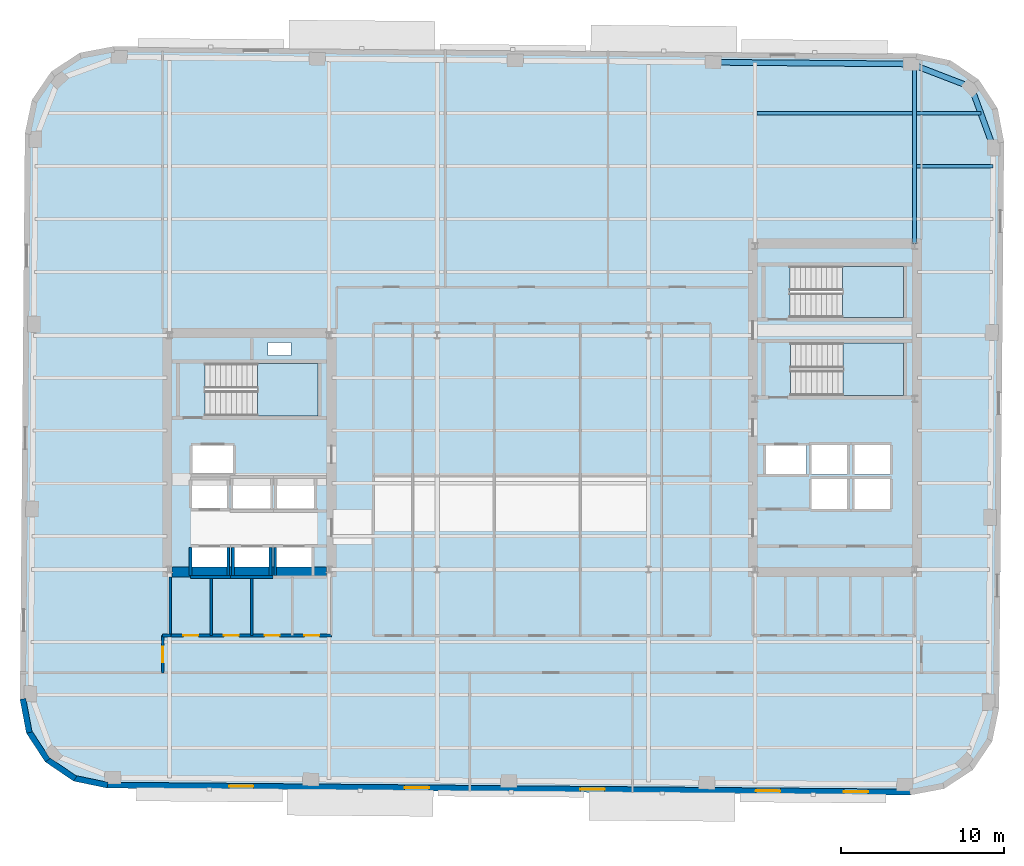
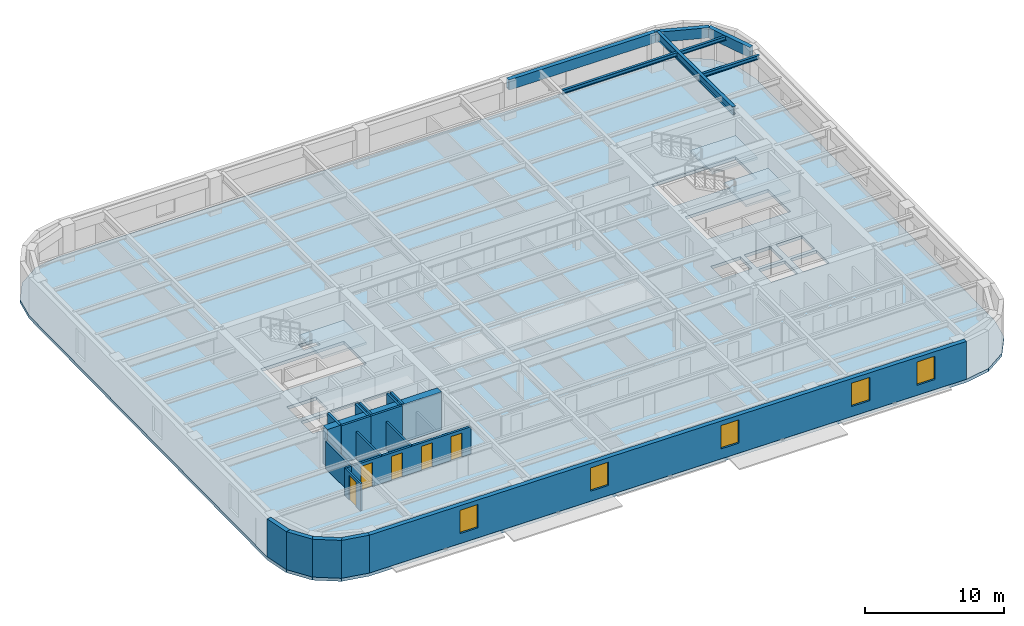
# One storey, part 3 of 11: 19 walls, 7 beams, 5 doors, 5 windows, 4 slabs, 10 openings, 3 elements without a shape of their own.
"""IFC4 building model written with IfcOpenShell, lengths in metres."""

from ifc_helpers import new_model, si_unit, direction, frame, frame_2d, origin, origin_2d, place, context, subcontext, project, spatial, polyline, rectangle, hollow_rectangle, i_section, outline, extrude, material, layer, layer_set, material_profile, profile_set, type_object, element, fill, aggregate, save


model = new_model("IFC4")

# Units and contexts
model_context = context("Model", 3, precision=1e-05, world=origin(), true_north=direction((0.0, 1.0)))
body_context = subcontext(model_context, "Body", "Model", "MODEL_VIEW")
ifc_project = project(units=[si_unit("LENGTHUNIT", "METRE"), si_unit("AREAUNIT", "SQUARE_METRE"), si_unit("VOLUMEUNIT", "CUBIC_METRE"), si_unit("PLANEANGLEUNIT", "RADIAN"), si_unit("MASSUNIT", "GRAM", prefix="KILO")], contexts=[model_context])

# Site, building, storey
site_placement = place(None, origin())
site = spatial("IfcSite", under=ifc_project, at=site_placement, CompositionType="ELEMENT")
building_placement = place(site_placement, origin())
building = spatial("IfcBuilding", under=site, at=building_placement, Name="Kolvaren Arena Tower", CompositionType="ELEMENT")
storey_placement = place(building_placement, frame((0.0, 0.0, 207.199951171875)))
storey = spatial("IfcBuildingStorey", under=building, at=storey_placement, Name="L50", CompositionType="ELEMENT", Elevation=207.199951171875)

# Beams
ifc_material_1 = material(Name="Steel CSA G40.21 350W", Category="steel")
ifc_material_profile_1 = material_profile(ifc_material_1, i_section(OverallWidth=0.2548828125, OverallDepth=0.695068359375, WebThickness=0.01708984375, FlangeThickness=0.02978515625, FilletRadius=0.01611328125, at=origin_2d()), Name="W690x217")
ifc_profile_set_1 = profile_set([ifc_material_profile_1], Name="Steel CSA G40.21 350W")
beam_type_1 = type_object("IfcBeamType", Name="GIRD-T2", PredefinedType="BEAM", material=ifc_profile_set_1)
beam_1_placement = place(storey_placement, frame((60.35009765625, 39.47998046875, 2.982666015625), z_axis=(0.0, 1.0, 0.0), x_axis=(-1.0, 0.0, 0.0)))
element("IfcBeam", 1, at=beam_1_placement, inside=storey, type_object=beam_type_1, Name="Primary Floor Girder (L50)", PredefinedType="BEAM", context=body_context, shape_type="SweptSolid", body=[
    extrude(i_section(OverallWidth=0.2548828125, OverallDepth=0.695068359375, WebThickness=0.01708984375, FlangeThickness=0.02978515625, FilletRadius=0.01611328125, at=origin_2d()), origin(), (0.0, 0.0, 1.0), 10.976806640625),
])
ifc_material_profile_2 = material_profile(ifc_material_1, i_section(OverallWidth=0.202880859375, OverallDepth=0.346923828125, WebThickness=0.0078125, FlangeThickness=0.013427734375, FilletRadius=0.010986328125, at=origin_2d()), Name="W360x64")
ifc_profile_set_2 = profile_set([ifc_material_profile_2], Name="Steel CSA G40.21 350W")
beam_type_2 = type_object("IfcBeamType", Name="JOIST-01", PredefinedType="JOIST", material=ifc_profile_set_2)
beam_2_placement = place(storey_placement, frame((60.4775390625, 44.25, 3.156494140625), z_axis=(1.0, 0.0, 0.0), x_axis=(0.0, 1.0, 0.0)))
element("IfcBeam", 2, at=beam_2_placement, inside=storey, type_object=beam_type_2, Name="Composite Floor Joist (L50)", PredefinedType="JOIST", context=body_context, shape_type="SweptSolid", body=[
    extrude(i_section(OverallWidth=0.202880859375, OverallDepth=0.346923828125, WebThickness=0.0078125, FlangeThickness=0.013427734375, FilletRadius=0.010986328125, at=origin_2d()), origin(), (0.0, 0.0, 1.0), 4.710205078125),
])
beam_3_placement = place(storey_placement, frame((50.677490234375, 47.5, 3.156494140625), z_axis=(1.0, 0.0, 0.0), x_axis=(0.0, 1.0, 0.0)))
element("IfcBeam", 3, at=beam_3_placement, inside=storey, type_object=beam_type_2, Name="Composite Floor Joist (L50)", PredefinedType="JOIST", context=body_context, shape_type="SweptSolid", body=[
    extrude(i_section(OverallWidth=0.202880859375, OverallDepth=0.346923828125, WebThickness=0.0078125, FlangeThickness=0.013427734375, FilletRadius=0.010986328125, at=origin_2d()), origin(), (0.0, 0.0, 1.0), 9.544921875),
])
beam_4_placement = place(storey_placement, frame((60.4775390625, 47.5, 3.156494140625), z_axis=(1.0, 0.0, 0.0), x_axis=(0.0, 1.0, 0.0)))
element("IfcBeam", 4, at=beam_4_placement, inside=storey, type_object=beam_type_2, Name="Composite Floor Joist (L50)", PredefinedType="JOIST", context=body_context, shape_type="SweptSolid", body=[
    extrude(i_section(OverallWidth=0.202880859375, OverallDepth=0.346923828125, WebThickness=0.0078125, FlangeThickness=0.013427734375, FilletRadius=0.010986328125, at=origin_2d()), origin(), (0.0, 0.0, 1.0), 3.950439453125),
])
ifc_material_2 = material(Name="Steel CSA G40.21 350WT", Category="steel")
ifc_material_profile_3 = material_profile(ifc_material_2, hollow_rectangle(XDim=0.35009765625, YDim=0.89990234375, WallThickness=0.02001953125, at=origin_2d()), Name="HSS 900x350x20")
ifc_profile_set_3 = profile_set([ifc_material_profile_3], Name="Steel CSA G40.21 350WT")
beam_type_3 = type_object("IfcBeamType", Name="SPAND-01", PredefinedType="SPANDREL", material=ifc_profile_set_3)
for number, where, z_axis, x_axis, name in (
    (5, (65.19775390625, 45.392333984375, 2.880126953125), (-0.343059102458, 0.939313819882, 0.0), (-0.939313819882, -0.343059102458, 0.0), "Perimeter Spandrel Beam (L50)"),
    (6, (63.8388671875, 49.113037109375, 2.880126953125), (-0.933189846698, 0.359383792094, 0.0), (-0.359383792094, -0.933189846698, 0.0), "Perimeter Spandrel Beam (L50)"),
):
    element("IfcBeam", number, at=place(storey_placement, frame(where, z_axis=z_axis, x_axis=x_axis)), inside=storey, type_object=beam_type_3, Name=name, PredefinedType="SPANDREL", context=body_context, shape_type="SweptSolid", body=[
        extrude(hollow_rectangle(XDim=0.35009765625, YDim=0.89990234375, WallThickness=0.02001953125, at=origin_2d()), origin(), (0.0, 0.0, 1.0), 3.961181640625),
    ])
beam_5_placement = place(storey_placement, frame((60.142333984375, 50.53662109375, 2.880126953125), z_axis=(-0.99996195503, 0.008722871848, 0.0), x_axis=(-0.008722871848, -0.99996195503, 0.0)))
element("IfcBeam", 7, at=beam_5_placement, inside=storey, type_object=beam_type_3, Name="Perimeter Spandrel Beam (L50)", PredefinedType="SPANDREL", context=body_context, shape_type="SweptSolid", body=[
    extrude(hollow_rectangle(XDim=0.35009765625, YDim=0.89990234375, WallThickness=0.02001953125, at=origin_2d()), origin(), (0.0, 0.0, 1.0), 12.175048828125),
])

# Stair, slab
ifc_material_3 = material(Name="Concrete 45 MPa", Category="concrete")
stair_type_1 = type_object("IfcStairType", Name="STAIR-CORE-165", PredefinedType="HALF_TURN_STAIR", material=ifc_material_3)
stair_1_placement = place(storey_placement, origin())
stair_1 = element("IfcStair", 8, at=stair_1_placement, inside=storey, type_object=stair_type_1, Name="L50 ST-W1", PredefinedType="HALF_TURN_STAIR")
ifc_layer_1 = layer(ifc_material_3, 0.199951171875)
ifc_layer_set_1 = layer_set([ifc_layer_1], Name="Concrete 45 MPa")
slab_type_1 = type_object("IfcSlabType", Name="SLAB-LAND", PredefinedType="LANDING", material=ifc_layer_set_1)
slab_1_placement = place(storey_placement, frame((0.0, 0.0, 1.675048828125)))
slab_1 = element("IfcSlab", 9, at=slab_1_placement, type_object=slab_type_1, Name="ST-W1 landing 1", PredefinedType="LANDING", context=body_context, shape_type="SweptSolid", body=[
    extrude(outline(polyline([(19.9599609375, 28.89990234375), (23.659912109375, 28.89990234375), (23.659912109375, 32.1298828125), (19.9599609375, 32.1298828125), (19.9599609375, 28.89990234375)])), origin(), (0.0, 0.0, 1.0), 0.199951171875),
])
aggregate(stair_1, [slab_1])

stair_2_placement = place(storey_placement, origin())
stair_2 = element("IfcStair", 10, at=stair_2_placement, inside=storey, type_object=stair_type_1, Name="L50 ST-E1", PredefinedType="HALF_TURN_STAIR")
slab_2_placement = place(storey_placement, frame((0.0, 0.0, 1.675048828125)))
slab_2 = element("IfcSlab", 11, at=slab_2_placement, type_object=slab_type_1, Name="ST-E1 landing 1", PredefinedType="LANDING", context=body_context, shape_type="SweptSolid", body=[
    extrude(outline(polyline([(55.9599609375, 30.14990234375), (59.659912109375, 30.14990234375), (59.659912109375, 33.3798828125), (55.9599609375, 33.3798828125), (55.9599609375, 30.14990234375)])), origin(), (0.0, 0.0, 1.0), 0.199951171875),
])
aggregate(stair_2, [slab_2])

stair_type_2 = type_object("IfcStairType", Name="STAIR-CORE-150", PredefinedType="HALF_TURN_STAIR", material=ifc_material_3)
stair_3_placement = place(storey_placement, origin())
stair_3 = element("IfcStair", 12, at=stair_3_placement, inside=storey, type_object=stair_type_2, Name="L50 ST-E2", PredefinedType="HALF_TURN_STAIR")
slab_3_placement = place(storey_placement, frame((0.0, 0.0, 1.675048828125)))
slab_3 = element("IfcSlab", 13, at=slab_3_placement, type_object=slab_type_1, Name="ST-E2 landing 1", PredefinedType="LANDING", context=body_context, shape_type="SweptSolid", body=[
    extrude(outline(polyline([(55.919921875, 34.949951171875), (59.659912109375, 34.949951171875), (59.659912109375, 38.10009765625), (55.919921875, 38.10009765625), (55.919921875, 34.949951171875)])), origin(), (0.0, 0.0, 1.0), 0.199951171875),
])
aggregate(stair_3, [slab_3])

# Slab
ifc_layer_2 = layer(ifc_material_3, 0.27001953125)
ifc_layer_set_2 = layer_set([ifc_layer_2], Name="Concrete 45 MPa")
slab_type_2 = type_object("IfcSlabType", Name="SLAB-OFF2", PredefinedType="FLOOR", material=ifc_layer_set_2)
slab_4_placement = place(storey_placement, frame((0.0, 0.0, -0.27001953125)))
element("IfcSlab", 14, at=slab_4_placement, inside=storey, type_object=slab_type_2, Name="L50 Primary Structural Slab", PredefinedType="FLOOR", context=body_context, shape_type="SweptSolid", body=[
    extrude(outline(polyline([(60.10009765625, 5.585205078125), (62.170166015625, 5.978271484375), (63.93212890625, 7.133544921875), (65.117919921875, 8.875244140625), (65.547119140625, 10.93798828125), (65.8505859375, 45.73681640625), (65.457763671875, 47.806640625), (64.302490234375, 49.568603515625), (62.560791015625, 50.75439453125), (60.498046875, 51.18359375), (11.099853515625, 51.61474609375), (9.02978515625, 51.2216796875), (7.267822265625, 50.06640625), (6.08203125, 48.32470703125), (5.653076171875, 46.261962890625), (5.349365234375, 11.46337890625), (5.7421875, 9.393310546875), (6.8974609375, 7.63134765625), (8.63916015625, 6.445556640625), (10.701904296875, 6.016357421875), (60.10009765625, 5.585205078125)]), holes=[polyline([(15.93505859375, 19.0849609375), (15.93505859375, 20.81494140625), (18.06494140625, 20.81494140625), (18.06494140625, 19.0849609375), (15.93505859375, 19.0849609375)]), polyline([(18.534912109375, 19.0849609375), (18.534912109375, 20.81494140625), (20.6650390625, 20.81494140625), (20.6650390625, 19.0849609375), (18.534912109375, 19.0849609375)]), polyline([(21.135009765625, 19.0849609375), (21.135009765625, 20.81494140625), (23.264892578125, 20.81494140625), (23.264892578125, 19.0849609375), (21.135009765625, 19.0849609375)]), polyline([(18.4599609375, 23.135009765625), (18.4599609375, 25.06494140625), (20.739990234375, 25.06494140625), (20.739990234375, 23.135009765625), (18.4599609375, 23.135009765625)]), polyline([(21.159912109375, 23.135009765625), (21.159912109375, 25.06494140625), (23.43994140625, 25.06494140625), (23.43994140625, 23.135009765625), (21.159912109375, 23.135009765625)]), polyline([(54.030029296875, 23.18505859375), (54.030029296875, 25.014892578125), (56.2099609375, 25.014892578125), (56.2099609375, 23.18505859375), (54.030029296875, 23.18505859375)]), polyline([(56.669921875, 23.18505859375), (56.669921875, 25.014892578125), (58.85009765625, 25.014892578125), (58.85009765625, 23.18505859375), (56.669921875, 23.18505859375)]), polyline([(15.93505859375, 23.235107421875), (15.93505859375, 24.965087890625), (18.06494140625, 24.965087890625), (18.06494140625, 23.235107421875), (15.93505859375, 23.235107421875)]), polyline([(54.030029296875, 25.284912109375), (54.030029296875, 27.114990234375), (56.2099609375, 27.114990234375), (56.2099609375, 25.284912109375), (54.030029296875, 25.284912109375)]), polyline([(56.669921875, 25.284912109375), (56.669921875, 27.114990234375), (58.85009765625, 27.114990234375), (58.85009765625, 25.284912109375), (56.669921875, 25.284912109375)]), polyline([(15.9599609375, 25.3349609375), (15.9599609375, 27.06494140625), (18.43994140625, 27.06494140625), (18.43994140625, 25.3349609375), (15.9599609375, 25.3349609375)]), polyline([(51.219970703125, 25.3349609375), (51.219970703125, 27.06494140625), (53.699951171875, 27.06494140625), (53.699951171875, 25.3349609375), (51.219970703125, 25.3349609375)]), polyline([(16.735107421875, 28.89990234375), (16.735107421875, 32.1298828125), (23.659912109375, 32.1298828125), (23.659912109375, 28.89990234375), (16.735107421875, 28.89990234375)]), polyline([(52.735107421875, 30.14990234375), (52.735107421875, 33.3798828125), (59.659912109375, 33.3798828125), (59.659912109375, 30.14990234375), (52.735107421875, 30.14990234375)]), polyline([(20.60009765625, 32.6201171875), (20.60009765625, 33.39990234375), (22.0, 33.39990234375), (22.0, 32.6201171875), (20.60009765625, 32.6201171875)]), polyline([(52.695068359375, 34.949951171875), (52.695068359375, 38.10009765625), (59.659912109375, 38.10009765625), (59.659912109375, 34.949951171875), (52.695068359375, 34.949951171875)])]), origin(), (0.0, 0.0, 1.0), 0.27001953125),
])

# Wall, opening, door
ifc_material_4 = material(Name="Gypsum board acoustic assembly", Category="gypsum")
ifc_layer_3 = layer(ifc_material_4, 0.159912109375)
ifc_layer_set_3 = layer_set([ifc_layer_3], Name="Gypsum board acoustic assembly")
wall_type_1 = type_object("IfcWallType", Name="CORR-160", PredefinedType="PARTITIONING", material=ifc_layer_set_3)
wall_1_placement = place(storey_placement, frame((14.1201171875, 13.10009765625, 0.0), z_axis=(0.0, 0.0, 1.0), x_axis=(0.0, 1.0, 0.0)))
wall_1 = element("IfcWall", 15, at=wall_1_placement, inside=storey, type_object=wall_type_1, Name="Interior Partition Wall (L50)", PredefinedType="PARTITIONING", context=body_context, shape_type="SweptSolid", body=[
    extrude(rectangle(XDim=2.2998046875, YDim=0.159912109375, at=frame_2d((1.14990234375, 0.0))), origin(), (0.0, 0.0, 1.0), 2.39013671875),
])
opening_1_placement = place(wall_1_placement, frame((0.64990234375, 0.0, 0.0)))
opening_1 = element("IfcOpeningElement", 16, at=opening_1_placement, cuts=wall_1, Name="Opening D05", PredefinedType="OPENING", context=body_context, shape_type="SweptSolid", body=[
    extrude(rectangle(XDim=0.949951171875, YDim=2.14990234375, at=frame_2d((0.47509765625, 1.074951171875))), frame((0.0, 0.08984375, 0.0), z_axis=(0.0, -1.0, 0.0), x_axis=(1.0, 0.0, 0.0)), (0.0, 0.0, 1.0), 0.179931640625),
])
ifc_material_5 = material(Name="Solid-core oak acoustic office door", Category="wood")
door_type_1 = type_object("IfcDoorType", Name="DOOR-OF-095", OperationType="NOTDEFINED", PredefinedType="DOOR", material=ifc_material_5)
door_1_placement = place(opening_1_placement, origin())
door_1 = element("IfcDoor", 17, at=door_1_placement, inside=storey, type_object=door_type_1, Name="West Wing Office Door (L50)", OperationType="SINGLE_SWING_LEFT", OverallHeight=2.14990234375, OverallWidth=0.949951171875, PredefinedType="DOOR", context=body_context, shape_type="SweptSolid", body=[
    extrude(rectangle(XDim=0.949951171875, YDim=2.14990234375, at=frame_2d((0.47509765625, 1.074951171875))), frame((0.0, 0.02490234375, 0.0), z_axis=(0.0, -1.0, 0.0), x_axis=(1.0, 0.0, 0.0)), (0.0, 0.0, 1.0), 0.050048828125),
])
fill(opening_1, door_1)

# Walls
wall_2_placement = place(storey_placement, frame((14.1201171875, 15.39990234375, 0.0), z_axis=(0.0, 0.0, 1.0), x_axis=(1.0, 0.0, 0.0)))
element("IfcWall", 18, at=wall_2_placement, inside=storey, type_object=wall_type_1, Name="Interior Partition Wall (L50)", PredefinedType="PARTITIONING", context=body_context, shape_type="SweptSolid", body=[
    extrude(rectangle(XDim=0.5, YDim=0.159912109375, at=frame_2d((0.25, 0.0))), origin(), (0.0, 0.0, 1.0), 2.39013671875),
])
ifc_material_6 = material(Name="Concrete 60 MPa", Category="concrete")
ifc_layer_4 = layer(ifc_material_6, 0.60009765625)
ifc_layer_set_4 = layer_set([ifc_layer_4], Name="Concrete 60 MPa")
wall_type_2 = type_object("IfcWallType", Name="CWALL-600", PredefinedType="SHEAR", material=ifc_layer_set_4)
wall_3_placement = place(storey_placement, frame((14.699951171875, 19.300048828125, -0.27001953125), z_axis=(0.0, 0.0, 1.0), x_axis=(1.0, 0.0, 0.0)))
element("IfcWall", 19, at=wall_3_placement, inside=storey, type_object=wall_type_2, Name="Core Shear Wall WC-SOUTH (L50)", PredefinedType="SHEAR", context=body_context, shape_type="SweptSolid", body=[
    extrude(rectangle(XDim=9.5, YDim=0.60009765625, at=frame_2d((4.75, 0.0))), origin(), (0.0, 0.0, 1.0), 3.60009765625),
])
ifc_material_7 = material(Name="Precast concrete C50/60", Category="concrete")
ifc_layer_5 = layer(ifc_material_7, 0.360107421875)
ifc_layer_set_5 = layer_set([ifc_layer_5], Name="Precast concrete C50/60")
wall_type_3 = type_object("IfcWallType", Name="EXT-PIER2", PredefinedType="SOLIDWALL", material=ifc_layer_set_5)
for number, where, z_axis, x_axis, name in (
    (20, (5.919189453125, 9.427001953125, 0.0), (0.0, 0.0, 1.0), (-0.186568933123, 0.982441872679, 0.0), "Exterior Precast Masonry-Frame Wall (L50)"),
    (21, (7.048095703125, 7.72998046875, 0.0), (0.0, 0.0, 1.0), (-0.548319766745, 0.836268756678, 0.0), "Exterior Precast Masonry-Frame Wall (L50)"),
    (22, (8.740478515625, 6.59423828125, 0.0), (0.0, 0.0, 1.0), (-0.826609569219, 0.56277581689, 0.0), "Exterior Precast Masonry-Frame Wall (L50)"),
):
    element("IfcWall", number, at=place(storey_placement, frame(where, z_axis=z_axis, x_axis=x_axis)), inside=storey, type_object=wall_type_3, Name=name, PredefinedType="SOLIDWALL", context=body_context, shape_type="SweptSolid", body=[
        extrude(rectangle(XDim=2.10693359375, YDim=0.360107421875, at=frame_2d((1.053466796875, 0.0))), origin(), (0.0, 0.0, 1.0), 3.330078125),
    ])
wall_4_placement = place(storey_placement, frame((10.73876953125, 6.192626953125, 0.0), z_axis=(0.0, 0.0, 1.0), x_axis=(-0.979059388908, 0.203574833883, 0.0)))
element("IfcWall", 23, at=wall_4_placement, inside=storey, type_object=wall_type_3, Name="Exterior Precast Masonry-Frame Wall (L50)", PredefinedType="SOLIDWALL", context=body_context, shape_type="SweptSolid", body=[
    extrude(rectangle(XDim=2.107177734375, YDim=0.360107421875, at=frame_2d((1.0537109375, 0.0))), origin(), (0.0, 0.0, 1.0), 3.330078125),
])

# Wall, openings, windows
wall_5_placement = place(storey_placement, frame((60.101806640625, 5.765380859375, 0.0), z_axis=(0.0, 0.0, 1.0), x_axis=(-0.999961955436, 0.008722825272, 0.0)))
wall_5 = element("IfcWall", 24, at=wall_5_placement, inside=storey, type_object=wall_type_3, Name="Exterior Precast Masonry-Frame Wall (L50)", PredefinedType="SOLIDWALL", context=body_context, shape_type="SweptSolid", body=[
    extrude(rectangle(XDim=49.400146484375, YDim=0.360107421875, at=frame_2d((24.7001953125, 0.0))), origin(), (0.0, 0.0, 1.0), 3.330078125),
])
opening_2_placement = place(wall_5_placement, frame((2.60009765625, 0.0, 0.8798828125)))
opening_2 = element("IfcOpeningElement", 25, at=opening_2_placement, cuts=wall_5, Name="Opening W03", PredefinedType="OPENING", context=body_context, shape_type="SweptSolid", body=[
    extrude(rectangle(XDim=1.5, YDim=2.050048828125, at=frame_2d((0.75, 1.02490234375))), frame((0.0, 0.18994140625, 0.0), z_axis=(0.0, -1.0, 0.0), x_axis=(1.0, 0.0, 0.0)), (0.0, 0.0, 1.0), 0.380126953125),
])
opening_3_placement = place(wall_5_placement, frame((8.0, 0.0, 0.8798828125)))
opening_3 = element("IfcOpeningElement", 26, at=opening_3_placement, cuts=wall_5, Name="Opening W03", PredefinedType="OPENING", context=body_context, shape_type="SweptSolid", body=[
    extrude(rectangle(XDim=1.5, YDim=2.050048828125, at=frame_2d((0.75, 1.02490234375))), frame((0.0, 0.18994140625, 0.0), z_axis=(0.0, -1.0, 0.0), x_axis=(1.0, 0.0, 0.0)), (0.0, 0.0, 1.0), 0.380126953125),
])
opening_4_placement = place(wall_5_placement, frame((18.800048828125, 0.0, 0.8798828125)))
opening_4 = element("IfcOpeningElement", 27, at=opening_4_placement, cuts=wall_5, Name="Opening W03", PredefinedType="OPENING", context=body_context, shape_type="SweptSolid", body=[
    extrude(rectangle(XDim=1.5, YDim=2.050048828125, at=frame_2d((0.75, 1.02490234375))), frame((0.0, 0.18994140625, 0.0), z_axis=(0.0, -1.0, 0.0), x_axis=(1.0, 0.0, 0.0)), (0.0, 0.0, 1.0), 0.380126953125),
])
opening_5_placement = place(wall_5_placement, frame((29.60009765625, 0.0, 0.8798828125)))
opening_5 = element("IfcOpeningElement", 28, at=opening_5_placement, cuts=wall_5, Name="Opening W03", PredefinedType="OPENING", context=body_context, shape_type="SweptSolid", body=[
    extrude(rectangle(XDim=1.5, YDim=2.050048828125, at=frame_2d((0.75, 1.02490234375))), frame((0.0, 0.18994140625, 0.0), z_axis=(0.0, -1.0, 0.0), x_axis=(1.0, 0.0, 0.0)), (0.0, 0.0, 1.0), 0.380126953125),
])
opening_6_placement = place(wall_5_placement, frame((40.39990234375, 0.0, 0.8798828125)))
opening_6 = element("IfcOpeningElement", 29, at=opening_6_placement, cuts=wall_5, Name="Opening W03", PredefinedType="OPENING", context=body_context, shape_type="SweptSolid", body=[
    extrude(rectangle(XDim=1.5, YDim=2.050048828125, at=frame_2d((0.75, 1.02490234375))), frame((0.0, 0.18994140625, 0.0), z_axis=(0.0, -1.0, 0.0), x_axis=(1.0, 0.0, 0.0)), (0.0, 0.0, 1.0), 0.380126953125),
])
ifc_material_8 = material(Name="Triple-glazed low-E aluminium window", Category="aluminium")
window_type = type_object("IfcWindowType", Name="WIN-OFF-C", PartitioningType="SINGLE_PANEL", PredefinedType="WINDOW", material=ifc_material_8)
window_1_placement = place(opening_2_placement, origin())
window_1 = element("IfcWindow", 30, at=window_1_placement, inside=storey, type_object=window_type, Name="Punched Precast-Pier Window (L50)", OverallHeight=2.050048828125, OverallWidth=1.5, PartitioningType="SINGLE_PANEL", PredefinedType="WINDOW", context=body_context, shape_type="SweptSolid", body=[
    extrude(rectangle(XDim=1.5, YDim=2.050048828125, at=frame_2d((0.75, 1.02490234375))), frame((0.0, 0.030029296875, 0.0), z_axis=(0.0, -1.0, 0.0), x_axis=(1.0, 0.0, 0.0)), (0.0, 0.0, 1.0), 0.06005859375),
])
fill(opening_2, window_1)
window_2_placement = place(opening_3_placement, origin())
window_2 = element("IfcWindow", 31, at=window_2_placement, inside=storey, type_object=window_type, Name="Punched Precast-Pier Window (L50)", OverallHeight=2.050048828125, OverallWidth=1.5, PartitioningType="SINGLE_PANEL", PredefinedType="WINDOW", context=body_context, shape_type="SweptSolid", body=[
    extrude(rectangle(XDim=1.5, YDim=2.050048828125, at=frame_2d((0.75, 1.02490234375))), frame((0.0, 0.030029296875, 0.0), z_axis=(0.0, -1.0, 0.0), x_axis=(1.0, 0.0, 0.0)), (0.0, 0.0, 1.0), 0.06005859375),
])
fill(opening_3, window_2)
window_3_placement = place(opening_4_placement, origin())
window_3 = element("IfcWindow", 32, at=window_3_placement, inside=storey, type_object=window_type, Name="Punched Precast-Pier Window (L50)", OverallHeight=2.050048828125, OverallWidth=1.5, PartitioningType="SINGLE_PANEL", PredefinedType="WINDOW", context=body_context, shape_type="SweptSolid", body=[
    extrude(rectangle(XDim=1.5, YDim=2.050048828125, at=frame_2d((0.75, 1.02490234375))), frame((0.0, 0.030029296875, 0.0), z_axis=(0.0, -1.0, 0.0), x_axis=(1.0, 0.0, 0.0)), (0.0, 0.0, 1.0), 0.06005859375),
])
fill(opening_4, window_3)
window_4_placement = place(opening_5_placement, origin())
window_4 = element("IfcWindow", 33, at=window_4_placement, inside=storey, type_object=window_type, Name="Punched Precast-Pier Window (L50)", OverallHeight=2.050048828125, OverallWidth=1.5, PartitioningType="SINGLE_PANEL", PredefinedType="WINDOW", context=body_context, shape_type="SweptSolid", body=[
    extrude(rectangle(XDim=1.5, YDim=2.050048828125, at=frame_2d((0.75, 1.02490234375))), frame((0.0, 0.030029296875, 0.0), z_axis=(0.0, -1.0, 0.0), x_axis=(1.0, 0.0, 0.0)), (0.0, 0.0, 1.0), 0.06005859375),
])
fill(opening_5, window_4)
window_5_placement = place(opening_6_placement, origin())
window_5 = element("IfcWindow", 34, at=window_5_placement, inside=storey, type_object=window_type, Name="Punched Precast-Pier Window (L50)", OverallHeight=2.050048828125, OverallWidth=1.5, PartitioningType="SINGLE_PANEL", PredefinedType="WINDOW", context=body_context, shape_type="SweptSolid", body=[
    extrude(rectangle(XDim=1.5, YDim=2.050048828125, at=frame_2d((0.75, 1.02490234375))), frame((0.0, 0.030029296875, 0.0), z_axis=(0.0, -1.0, 0.0), x_axis=(1.0, 0.0, 0.0)), (0.0, 0.0, 1.0), 0.06005859375),
])
fill(opening_6, window_5)

# Walls
ifc_layer_6 = layer(ifc_material_3, 0.25)
ifc_layer_set_6 = layer_set([ifc_layer_6], Name="Concrete 45 MPa")
wall_type_4 = type_object("IfcWallType", Name="SHAFT-250", PredefinedType="SOLIDWALL", material=ifc_layer_set_6)
wall_6_placement = place(storey_placement, frame((15.844970703125, 18.9951171875, 0.0), z_axis=(0.0, 0.0, 1.0), x_axis=(1.0, 0.0, 0.0)))
element("IfcWall", 35, at=wall_6_placement, inside=storey, type_object=wall_type_4, Name="Core Shaft Wall (L50)", PredefinedType="SOLIDWALL", context=body_context, shape_type="SweptSolid", body=[
    extrude(rectangle(XDim=2.455078125, YDim=0.179931640625, at=frame_2d((1.2275390625, 0.0))), origin(), (0.0, 0.0, 1.0), 3.330078125),
])
for number, where, z_axis, x_axis, name in (
    (36, (15.844970703125, 19.0849609375, 0.0), (0.0, 0.0, 1.0), (0.0, 1.0, 0.0), "Core Shaft Wall (L50)"),
    (37, (18.155029296875, 19.0849609375, 0.0), (0.0, 0.0, 1.0), (0.0, 1.0, 0.0), "Core Shaft Wall (L50)"),
):
    element("IfcWall", number, at=place(storey_placement, frame(where, z_axis=z_axis, x_axis=x_axis)), inside=storey, type_object=wall_type_4, Name=name, PredefinedType="SOLIDWALL", context=body_context, shape_type="SweptSolid", body=[
        extrude(rectangle(XDim=1.72998046875, YDim=0.179931640625, at=frame_2d((0.864990234375, 0.0))), origin(), (0.0, 0.0, 1.0), 3.330078125),
    ])
wall_7_placement = place(storey_placement, frame((18.300048828125, 18.9951171875, 0.0), z_axis=(0.0, 0.0, 1.0), x_axis=(1.0, 0.0, 0.0)))
element("IfcWall", 38, at=wall_7_placement, inside=storey, type_object=wall_type_4, Name="Core Shaft Wall (L50)", PredefinedType="SOLIDWALL", context=body_context, shape_type="SweptSolid", body=[
    extrude(rectangle(XDim=2.599853515625, YDim=0.179931640625, at=frame_2d((1.2998046875, 0.0))), origin(), (0.0, 0.0, 1.0), 3.330078125),
])
for number, where, z_axis, x_axis, name in (
    (39, (18.445068359375, 19.0849609375, 0.0), (0.0, 0.0, 1.0), (0.0, 1.0, 0.0), "Core Shaft Wall (L50)"),
    (40, (20.7548828125, 19.0849609375, 0.0), (0.0, 0.0, 1.0), (0.0, 1.0, 0.0), "Core Shaft Wall (L50)"),
    (41, (21.044921875, 19.0849609375, 0.0), (0.0, 0.0, 1.0), (0.0, 1.0, 0.0), "Core Shaft Wall (L50)"),
):
    element("IfcWall", number, at=place(storey_placement, frame(where, z_axis=z_axis, x_axis=x_axis)), inside=storey, type_object=wall_type_4, Name=name, PredefinedType="SOLIDWALL", context=body_context, shape_type="SweptSolid", body=[
        extrude(rectangle(XDim=1.72998046875, YDim=0.179931640625, at=frame_2d((0.864990234375, 0.0))), origin(), (0.0, 0.0, 1.0), 3.330078125),
    ])
ifc_material_9 = material(Name="Moisture-resistant gypsum assembly", Category="gypsum")
ifc_layer_7 = layer(ifc_material_9, 0.14990234375)
ifc_layer_set_7 = layer_set([ifc_layer_7], Name="Moisture-resistant gypsum assembly")
wall_type_5 = type_object("IfcWallType", Name="WETW-150", PredefinedType="PARTITIONING", material=ifc_layer_set_7)
for number, where, z_axis, x_axis, name in (
    (42, (17.10009765625, 15.39990234375, 0.0), (0.0, 0.0, 1.0), (0.0, 1.0, 0.0), "Interior Partition Wall (L50)"),
    (43, (19.60009765625, 15.39990234375, 0.0), (0.0, 0.0, 1.0), (0.0, 1.0, 0.0), "Interior Partition Wall (L50)"),
):
    element("IfcWall", number, at=place(storey_placement, frame(where, z_axis=z_axis, x_axis=x_axis)), inside=storey, type_object=wall_type_5, Name=name, PredefinedType="PARTITIONING", context=body_context, shape_type="SweptSolid", body=[
        extrude(rectangle(XDim=3.580078125, YDim=0.14990234375, at=frame_2d((1.7900390625, 0.0))), origin(), (0.0, 0.0, 1.0), 2.39013671875),
    ])

# Wall, openings, doors
wall_8_placement = place(storey_placement, frame((14.60009765625, 15.39990234375, 0.0), z_axis=(0.0, 0.0, 1.0), x_axis=(1.0, 0.0, 0.0)))
wall_8 = element("IfcWall", 44, at=wall_8_placement, inside=storey, type_object=wall_type_5, Name="Interior Partition Wall (L50)", PredefinedType="PARTITIONING", context=body_context, shape_type="SweptSolid", body=[
    extrude(rectangle(XDim=9.89990234375, YDim=0.179931640625, at=frame_2d((4.949951171875, 0.0))), origin(), (0.0, 0.0, 1.0), 2.39013671875),
])
opening_7_placement = place(wall_8_placement, frame((0.7900390625, 0.0, 0.0)))
opening_7 = element("IfcOpeningElement", 45, at=opening_7_placement, cuts=wall_8, Name="Opening D07", PredefinedType="OPENING", context=body_context, shape_type="SweptSolid", body=[
    extrude(rectangle(XDim=0.919921875, YDim=2.10009765625, at=frame_2d((0.4599609375, 1.050048828125))), frame((0.0, 0.099853515625, 0.0), z_axis=(0.0, -1.0, 0.0), x_axis=(1.0, 0.0, 0.0)), (0.0, 0.0, 1.0), 0.199951171875),
])
opening_8_placement = place(wall_8_placement, frame((3.2900390625, 0.0, 0.0)))
opening_8 = element("IfcOpeningElement", 46, at=opening_8_placement, cuts=wall_8, Name="Opening D07", PredefinedType="OPENING", context=body_context, shape_type="SweptSolid", body=[
    extrude(rectangle(XDim=0.919921875, YDim=2.10009765625, at=frame_2d((0.4599609375, 1.050048828125))), frame((0.0, 0.099853515625, 0.0), z_axis=(0.0, -1.0, 0.0), x_axis=(1.0, 0.0, 0.0)), (0.0, 0.0, 1.0), 0.199951171875),
])
opening_9_placement = place(wall_8_placement, frame((5.7900390625, 0.0, 0.0)))
opening_9 = element("IfcOpeningElement", 47, at=opening_9_placement, cuts=wall_8, Name="Opening D07", PredefinedType="OPENING", context=body_context, shape_type="SweptSolid", body=[
    extrude(rectangle(XDim=0.919921875, YDim=2.10009765625, at=frame_2d((0.4599609375, 1.050048828125))), frame((0.0, 0.099853515625, 0.0), z_axis=(0.0, -1.0, 0.0), x_axis=(1.0, 0.0, 0.0)), (0.0, 0.0, 1.0), 0.199951171875),
])
opening_10_placement = place(wall_8_placement, frame((8.239990234375, 0.0, 0.0)))
opening_10 = element("IfcOpeningElement", 48, at=opening_10_placement, cuts=wall_8, Name="Opening D07", PredefinedType="OPENING", context=body_context, shape_type="SweptSolid", body=[
    extrude(rectangle(XDim=0.919921875, YDim=2.10009765625, at=frame_2d((0.4599609375, 1.050048828125))), frame((0.0, 0.099853515625, 0.0), z_axis=(0.0, -1.0, 0.0), x_axis=(1.0, 0.0, 0.0)), (0.0, 0.0, 1.0), 0.199951171875),
])
ifc_material_10 = material(Name="Laminate universal washroom door", Category="wood")
door_type_2 = type_object("IfcDoorType", Name="DOOR-WC-092", OperationType="NOTDEFINED", PredefinedType="DOOR", material=ifc_material_10)
door_2_placement = place(opening_7_placement, origin())
door_2 = element("IfcDoor", 49, at=door_2_placement, inside=storey, type_object=door_type_2, Name="Women Restroom Door (L50)", OperationType="SINGLE_SWING_RIGHT", OverallHeight=2.10009765625, OverallWidth=0.919921875, PredefinedType="DOOR", context=body_context, shape_type="SweptSolid", body=[
    extrude(rectangle(XDim=0.919921875, YDim=2.10009765625, at=frame_2d((0.4599609375, 1.050048828125))), frame((0.0, 0.02490234375, 0.0), z_axis=(0.0, -1.0, 0.0), x_axis=(1.0, 0.0, 0.0)), (0.0, 0.0, 1.0), 0.050048828125),
])
fill(opening_7, door_2)
door_3_placement = place(opening_8_placement, origin())
door_3 = element("IfcDoor", 50, at=door_3_placement, inside=storey, type_object=door_type_2, Name="Men Restroom Door (L50)", OperationType="SINGLE_SWING_LEFT", OverallHeight=2.10009765625, OverallWidth=0.919921875, PredefinedType="DOOR", context=body_context, shape_type="SweptSolid", body=[
    extrude(rectangle(XDim=0.919921875, YDim=2.10009765625, at=frame_2d((0.4599609375, 1.050048828125))), frame((0.0, 0.02490234375, 0.0), z_axis=(0.0, -1.0, 0.0), x_axis=(1.0, 0.0, 0.0)), (0.0, 0.0, 1.0), 0.050048828125),
])
fill(opening_8, door_3)
door_4_placement = place(opening_9_placement, origin())
door_4 = element("IfcDoor", 51, at=door_4_placement, inside=storey, type_object=door_type_2, Name="Universal Barrier-Free Washroom Door (L50)", OperationType="SINGLE_SWING_RIGHT", OverallHeight=2.10009765625, OverallWidth=0.919921875, PredefinedType="DOOR", context=body_context, shape_type="SweptSolid", body=[
    extrude(rectangle(XDim=0.919921875, YDim=2.10009765625, at=frame_2d((0.4599609375, 1.050048828125))), frame((0.0, 0.02490234375, 0.0), z_axis=(0.0, -1.0, 0.0), x_axis=(1.0, 0.0, 0.0)), (0.0, 0.0, 1.0), 0.050048828125),
])
fill(opening_9, door_4)
door_5_placement = place(opening_10_placement, origin())
door_5 = element("IfcDoor", 52, at=door_5_placement, inside=storey, type_object=door_type_2, Name="Linen Store Door (L50)", OperationType="SINGLE_SWING_LEFT", OverallHeight=2.10009765625, OverallWidth=0.919921875, PredefinedType="DOOR", context=body_context, shape_type="SweptSolid", body=[
    extrude(rectangle(XDim=0.919921875, YDim=2.10009765625, at=frame_2d((0.4599609375, 1.050048828125))), frame((0.0, 0.02490234375, 0.0), z_axis=(0.0, -1.0, 0.0), x_axis=(1.0, 0.0, 0.0)), (0.0, 0.0, 1.0), 0.050048828125),
])
fill(opening_10, door_5)

# Wall
wall_9_placement = place(storey_placement, frame((14.60009765625, 15.39990234375, 0.0), z_axis=(0.0, 0.0, 1.0), x_axis=(0.0, 1.0, 0.0)))
element("IfcWall", 53, at=wall_9_placement, inside=storey, type_object=wall_type_5, Name="Interior Partition Wall (L50)", PredefinedType="PARTITIONING", context=body_context, shape_type="SweptSolid", body=[
    extrude(rectangle(XDim=3.580078125, YDim=0.14990234375, at=frame_2d((1.7900390625, 0.0))), origin(), (0.0, 0.0, 1.0), 2.39013671875),
])

save(model, "model.ifc")
